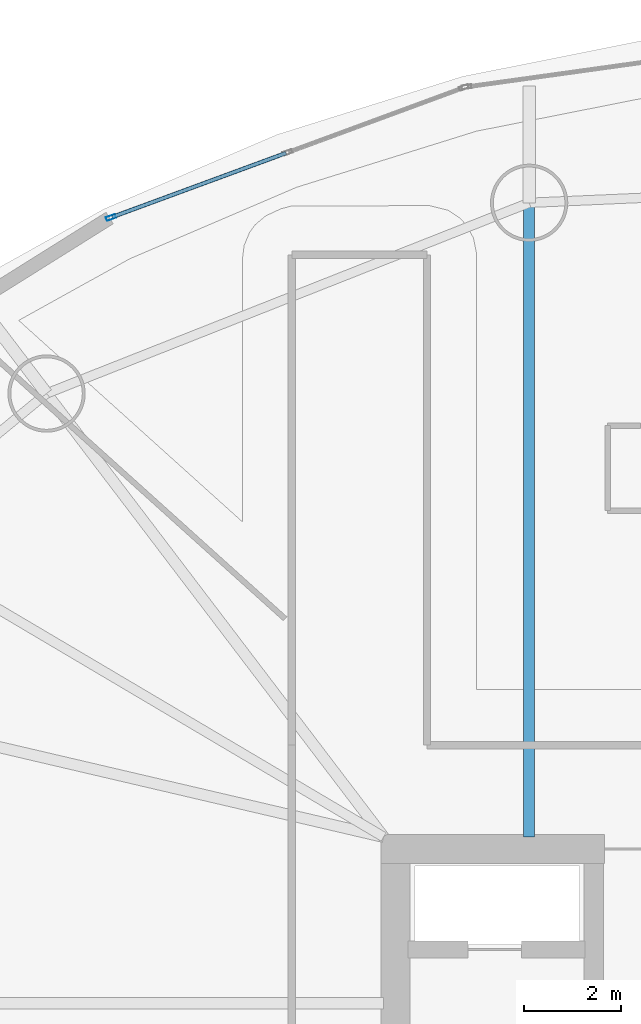
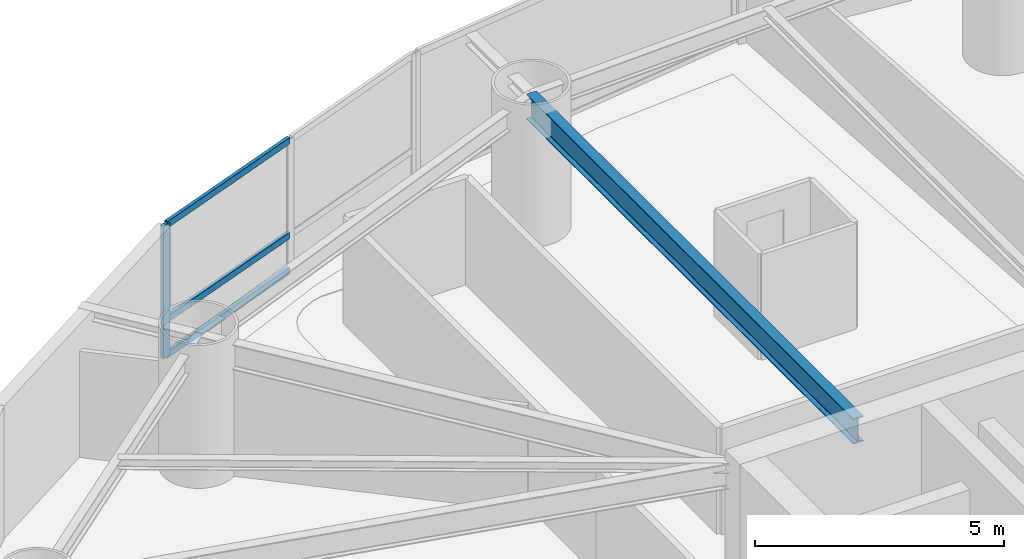
# One storey, part 17 of 30: 4 members, 1 beam, 1 element without a shape of its own.
"""IFC4 building model written with IfcOpenShell, lengths in metres."""

from ifc_helpers import new_model, si_unit, direction, frame, origin, origin_2d, place, context, subcontext, project, spatial, hollow_rectangle, i_section, extrude, material, layer, layer_set, material_profile, profile_set, type_object, element, aggregate, save


model = new_model("IFC4")

# Units and contexts
model_context = context("Model", 3, precision=1e-05, world=origin(), true_north=direction((0.0, 1.0)))
body_context = subcontext(model_context, "Body", "Model", "MODEL_VIEW")
ifc_project = project(units=[si_unit("LENGTHUNIT", "METRE"), si_unit("AREAUNIT", "SQUARE_METRE"), si_unit("VOLUMEUNIT", "CUBIC_METRE"), si_unit("PLANEANGLEUNIT", "RADIAN"), si_unit("MASSUNIT", "GRAM", prefix="KILO")], contexts=[model_context])

# Site, building, storey
site_placement = place(None, origin())
site = spatial("IfcSite", under=ifc_project, at=site_placement, CompositionType="ELEMENT")
building_placement = place(site_placement, origin())
building = spatial("IfcBuilding", under=site, at=building_placement, Name="Bramvorn Convention Spire", CompositionType="ELEMENT")
storey_placement = place(building_placement, frame((0.0, 0.0, 86.89990234375)))
storey = spatial("IfcBuildingStorey", under=building, at=storey_placement, Name="L20", CompositionType="ELEMENT", Elevation=86.89990234375)

# Beam
ifc_material_1 = material(Name="Steel CSA G40.21 Grade 350 (350W)", Category="steel")
ifc_material_profile_1 = material_profile(ifc_material_1, i_section(OverallWidth=0.22998046875, OverallDepth=0.616943359375, WebThickness=0.01318359375, FlangeThickness=0.022216796875, FilletRadius=0.02001953125, at=origin_2d()))
ifc_profile_set_1 = profile_set([ifc_material_profile_1], Name="Steel CSA G40.21 Grade 350 (350W) - W610X140")
beam_type = type_object("IfcBeamType", Name="BM-W610X140", PredefinedType="BEAM", material=ifc_profile_set_1)
beam_placement = place(storey_placement, frame((29.76220703125, 33.449951171875, 2.941650390625), z_axis=(0.0, 1.0, 0.0), x_axis=(-1.0, 0.0, 0.0)))
element("IfcBeam", 1, at=beam_placement, inside=storey, type_object=beam_type, Name="L20 radial floor girder MC06", PredefinedType="BEAM", context=body_context, shape_type="SweptSolid", body=[
    extrude(i_section(OverallWidth=0.22998046875, OverallDepth=0.616943359375, WebThickness=0.01318359375, FlangeThickness=0.022216796875, FilletRadius=0.02001953125, at=origin_2d()), origin(), (0.0, 0.0, 1.0), 13.126708984375),
])

# Curtain wall, members
ifc_material_2 = material(Name="Anodised Bronze Unitised Curtain Wall", Category="aluminium")
ifc_layer = layer(ifc_material_2, 0.179931640625)
ifc_layer_set = layer_set([ifc_layer], Name="Anodised Bronze Unitised Curtain Wall - CW-HTL-FRIT")
curtain_wall_type = type_object("IfcCurtainWallType", Name="CW-HTL-FRIT", PredefinedType="USERDEFINED", material=ifc_layer_set)
curtain_wall_placement = place(storey_placement, origin())
curtain_wall = element("IfcCurtainWall", 2, at=curtain_wall_placement, inside=storey, type_object=curtain_wall_type, Name="L20 fritted glass curtain wall 09", ObjectType="UNITISED CURTAIN WALL", PredefinedType="USERDEFINED")
ifc_material_3 = material(Name="Anodised Bronze Aluminium 6063-T6", Category="aluminium")
ifc_material_profile_2 = material_profile(ifc_material_3, hollow_rectangle(XDim=0.080078125, YDim=0.199951171875, WallThickness=0.00390625, InnerFilletRadius=0.0009765625, OuterFilletRadius=0.00390625, at=origin_2d()))
ifc_profile_set_2 = profile_set([ifc_material_profile_2], Name="Anodised Bronze Aluminium 6063-T6 - CWM80X200")
member_type_1 = type_object("IfcMemberType", Name="CW-MUL-180", PredefinedType="MULLION", material=ifc_profile_set_2)
member_1_placement = place(storey_placement, frame((21.10498046875, 46.27197265625, 0.0), z_axis=(0.0, 0.0, 1.0), x_axis=(-0.345578349374, 0.938389900012, 0.0)))
member_1 = element("IfcMember", 3, at=member_1_placement, type_object=member_type_1, Name="CW2 mullion 1", PredefinedType="MULLION", context=body_context, shape_type="SweptSolid", body=[
    extrude(hollow_rectangle(XDim=0.080078125, YDim=0.199951171875, WallThickness=0.00390625, InnerFilletRadius=0.0009765625, OuterFilletRadius=0.00390625, at=origin_2d()), origin(), (0.0, 0.0, 1.0), 3.25),
])
ifc_material_profile_3 = material_profile(ifc_material_3, hollow_rectangle(XDim=0.080078125, YDim=0.159912109375, WallThickness=0.00390625, InnerFilletRadius=0.0009765625, OuterFilletRadius=0.00390625, at=origin_2d()))
ifc_profile_set_3 = profile_set([ifc_material_profile_3], Name="Anodised Bronze Aluminium 6063-T6 - CWT80X160")
member_type_2 = type_object("IfcMemberType", Name="CW-TRN-150", PredefinedType="USERDEFINED", material=ifc_profile_set_3)
member_2_placement = place(storey_placement, frame((21.13330078125, 46.282470703125, 0.030029296875), z_axis=(0.938381179015, 0.34560202961, 0.0), x_axis=(-0.34560202961, 0.938381179015, 0.0)))
member_2 = element("IfcMember", 4, at=member_2_placement, type_object=member_type_2, Name="CW2 transom 1.1", ObjectType="TRANSOM", PredefinedType="USERDEFINED", context=body_context, shape_type="SweptSolid", body=[
    extrude(hollow_rectangle(XDim=0.080078125, YDim=0.159912109375, WallThickness=0.00390625, InnerFilletRadius=0.0009765625, OuterFilletRadius=0.00390625, at=origin_2d()), origin(), (0.0, 0.0, 1.0), 3.832275390625),
])
member_3_placement = place(storey_placement, frame((21.13330078125, 46.282470703125, 0.900146484375), z_axis=(0.938381179015, 0.34560202961, 0.0), x_axis=(-0.34560202961, 0.938381179015, 0.0)))
member_3 = element("IfcMember", 5, at=member_3_placement, type_object=member_type_2, Name="CW2 transom 1.2", ObjectType="TRANSOM", PredefinedType="USERDEFINED", context=body_context, shape_type="SweptSolid", body=[
    extrude(hollow_rectangle(XDim=0.080078125, YDim=0.159912109375, WallThickness=0.00390625, InnerFilletRadius=0.0009765625, OuterFilletRadius=0.00390625, at=origin_2d()), origin(), (0.0, 0.0, 1.0), 3.832275390625),
])
member_4_placement = place(storey_placement, frame((21.13330078125, 46.282470703125, 3.22021484375), z_axis=(0.938381179015, 0.34560202961, 0.0), x_axis=(-0.34560202961, 0.938381179015, 0.0)))
member_4 = element("IfcMember", 6, at=member_4_placement, type_object=member_type_2, Name="CW2 transom 1.3", ObjectType="TRANSOM", PredefinedType="USERDEFINED", context=body_context, shape_type="SweptSolid", body=[
    extrude(hollow_rectangle(XDim=0.080078125, YDim=0.159912109375, WallThickness=0.00390625, InnerFilletRadius=0.0009765625, OuterFilletRadius=0.00390625, at=origin_2d()), origin(), (0.0, 0.0, 1.0), 3.832275390625),
])
aggregate(curtain_wall, [member_1, member_2, member_3, member_4])

save(model, "model.ifc")
